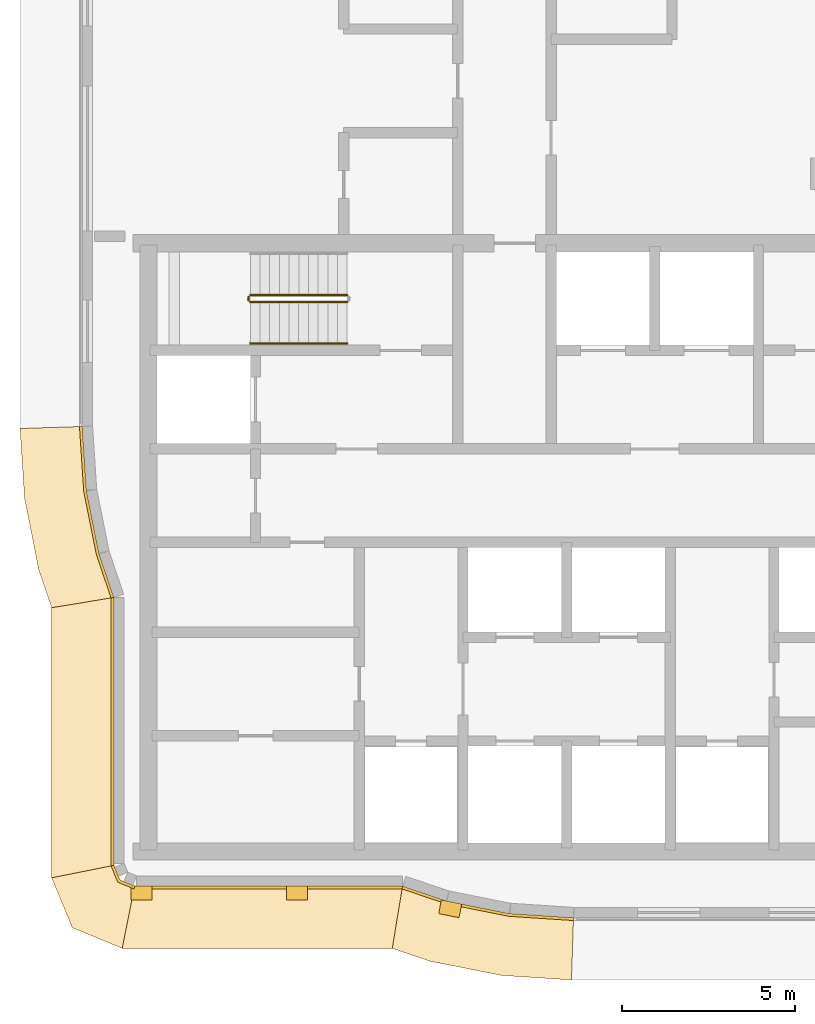
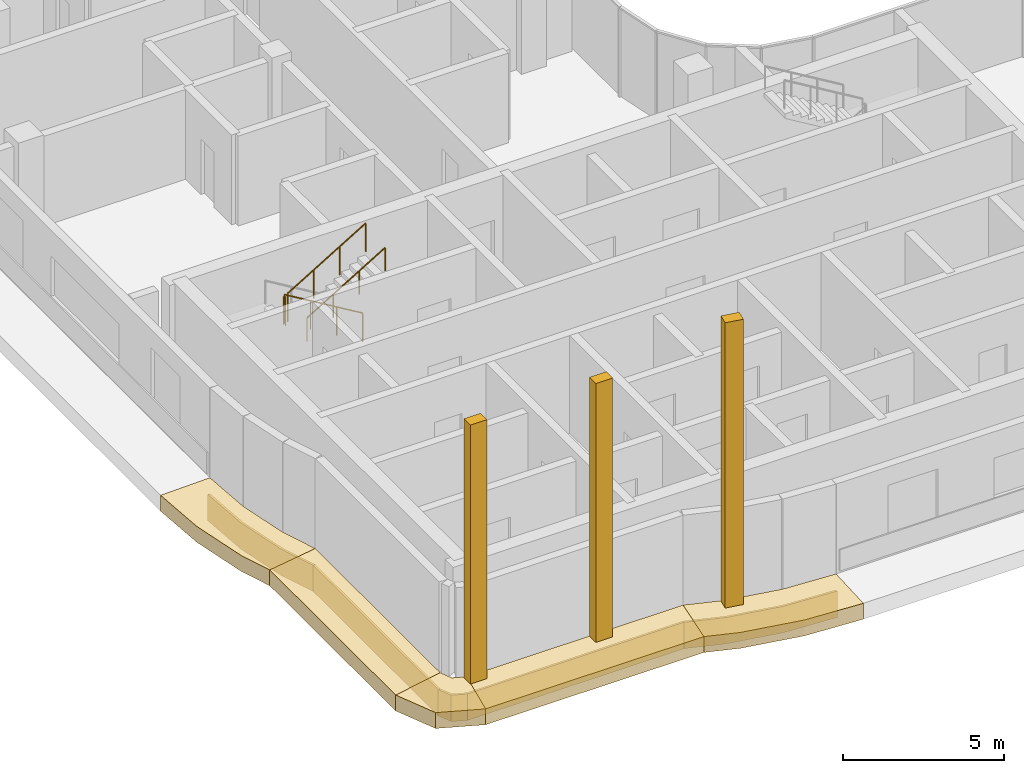
# One storey, part 15 of 20: 13 coverings, 4 railings.
"""IFC4 building model written with IfcOpenShell, lengths in metres."""

import ifcopenshell
import ifcopenshell.guid

model = None  # the IFC model being written
_history = None  # IfcOwnerHistory: only IFC2X3 demands one
_inside = {}  # id of a spatial element -> (the spatial element, [elements in it])
_under = {}  # id of a project, library or spatial element -> (it, [spatial elements below it])
_declared = {}  # id of a project -> (the project, [libraries it declares])
_typed = {}  # id of a type object -> (the type object, [elements of that type])
_made_of = {}  # id of a material, layer set ... -> (it, [elements and type objects made of it])


def new_model(schema):
    """Start an empty IFC model of exactly this schema.

    Asked for "IFC4X3", IfcOpenShell would pick the latest addendum, in which some entities
    have other attributes; the version numbers below select the first issue.
    IFC2X3 requires an IfcOwnerHistory on every rooted entity: one is made here for all.
    """
    global model, _history
    if schema == "IFC4X3":
        model = ifcopenshell.file(schema_version=(4, 3, 0, 0))
    else:
        model = ifcopenshell.file(schema=schema)
    _inside.clear()
    _under.clear()
    _declared.clear()
    _typed.clear()
    _made_of.clear()
    _history = None
    if model.schema == "IFC2X3":
        org = make("IfcOrganization", Name="unknown")
        user = make(
            "IfcPersonAndOrganization",
            ThePerson=make("IfcPerson", FamilyName="unknown"),
            TheOrganization=org,
        )
        app = make(
            "IfcApplication",
            ApplicationDeveloper=org,
            Version="unknown",
            ApplicationFullName="unknown",
            ApplicationIdentifier="unknown",
        )
        _history = make(
            "IfcOwnerHistory",
            OwningUser=user,
            OwningApplication=app,
            ChangeAction="ADDED",
            CreationDate=0,
        )
    return model


def make(cls, **values):
    """One entity of the class cls with the attributes given. An attribute that is None is left unset."""
    return model.create_entity(
        cls, **{name: value for name, value in values.items() if value is not None}
    )


def rooted(cls, **values):
    """An entity with a GlobalId (a new one), such as an element, a storey or a relation."""
    return make(cls, GlobalId=ifcopenshell.guid.new(), OwnerHistory=_history, **values)


def si_unit(unit_type, name, prefix=None):
    """IfcSIUnit, for example si_unit("LENGTHUNIT", "METRE", prefix="MILLI")."""
    return make("IfcSIUnit", UnitType=unit_type, Prefix=prefix, Name=name)


def assignment(units):
    """IfcUnitAssignment: the units of a project."""
    return None if units is None else make("IfcUnitAssignment", Units=units)


def point(xyz):
    """IfcCartesianPoint."""
    return None if xyz is None else make("IfcCartesianPoint", Coordinates=xyz)


def direction(xyz):
    """IfcDirection."""
    return None if xyz is None else make("IfcDirection", DirectionRatios=xyz)


def frame(location, z_axis=None, x_axis=None):
    """IfcAxis2Placement3D, a coordinate frame: its origin and axes. An axis left out is left unset."""
    return make(
        "IfcAxis2Placement3D",
        Location=point(location),
        Axis=direction(z_axis),
        RefDirection=direction(x_axis),
    )


def frame_2d(location, x_axis=None):
    """IfcAxis2Placement2D, a coordinate frame in the plane: its origin and x axis."""
    return make(
        "IfcAxis2Placement2D", Location=point(location), RefDirection=direction(x_axis)
    )


def origin():
    """The frame at (0, 0, 0) with its axes left unset."""
    return frame((0.0, 0.0, 0.0))


def origin_2d():
    """The frame at (0, 0) in the plane with its x axis left unset."""
    return frame_2d((0.0, 0.0))


def place(relative_to, where):
    """IfcLocalPlacement: puts the frame where relative to a parent placement (None: the world)."""
    return make(
        "IfcLocalPlacement", PlacementRelTo=relative_to, RelativePlacement=where
    )


def context(
    kind, dimensions, precision=None, world=None, true_north=None, identifier=None
):
    """IfcGeometricRepresentationContext, for example the 3D "Model" context."""
    return make(
        "IfcGeometricRepresentationContext",
        ContextIdentifier=identifier,
        ContextType=kind,
        CoordinateSpaceDimension=dimensions,
        Precision=precision,
        WorldCoordinateSystem=world,
        TrueNorth=true_north,
    )


def subcontext(parent, identifier, kind, view, scale=None):
    """IfcGeometricRepresentationSubContext, for example "Body" below "Model"."""
    return make(
        "IfcGeometricRepresentationSubContext",
        ContextIdentifier=identifier,
        ContextType=kind,
        ParentContext=parent,
        TargetScale=scale,
        TargetView=view,
    )


def project(units=None, contexts=None):
    """IfcProject with its units and contexts."""
    return rooted(
        "IfcProject",
        Name="project",
        RepresentationContexts=contexts,
        UnitsInContext=assignment(units),
    )


def spatial(cls, under=None, at=None, **own):
    """A site, building, storey or space (cls), placed at a placement, below another one or the project."""
    s = rooted(cls, ObjectPlacement=at, **own)
    if under is not None:
        _under.setdefault(under.id(), (under, []))[1].append(s)
    return s


def polyline(points):
    """IfcPolyline through the points."""
    return make("IfcPolyline", Points=[point(p) for p in points])


def profile(cls, at=None, kind="AREA", **sizes):
    """A parametric profile (cls). Its sizes go by their IFC names, for example OverallWidth=200.0."""
    return make(cls, ProfileType=kind, Position=at, **sizes)


def rectangle(**sizes):
    """IfcRectangleProfileDef."""
    return profile("IfcRectangleProfileDef", **sizes)


def circle(**sizes):
    """IfcCircleProfileDef."""
    return profile("IfcCircleProfileDef", **sizes)


def outline(outer, holes=None, kind="AREA"):
    """IfcArbitraryClosedProfileDef: a profile drawn as a closed curve; with holes, ...WithVoids."""
    if holes is None:
        return make("IfcArbitraryClosedProfileDef", ProfileType=kind, OuterCurve=outer)
    return make(
        "IfcArbitraryProfileDefWithVoids",
        ProfileType=kind,
        OuterCurve=outer,
        InnerCurves=holes,
    )


def extrude(swept, where, along, depth):
    """IfcExtrudedAreaSolid: the profile swept, set in the frame where, extruded along a direction by depth."""
    return make(
        "IfcExtrudedAreaSolid",
        SweptArea=swept,
        Position=where,
        ExtrudedDirection=direction(along),
        Depth=depth,
    )


def shape(context_of_items, identifier, shape_type, items):
    """IfcShapeRepresentation: the items that make up one representation, for example the "Body"."""
    return make(
        "IfcShapeRepresentation",
        ContextOfItems=context_of_items,
        RepresentationIdentifier=identifier,
        RepresentationType=shape_type,
        Items=items,
    )


def material(Name=None, Category=None):
    """IfcMaterial."""
    return make("IfcMaterial", Name=Name, Category=Category)


def layer(
    of_material, thickness, ventilated=None, Name=None, Category=None, Priority=None
):
    """IfcMaterialLayer: one layer of a wall or slab, of a material (None: an air gap)."""
    return make(
        "IfcMaterialLayer",
        Material=of_material,
        LayerThickness=thickness,
        IsVentilated=ventilated,
        Name=Name,
        Category=Category,
        Priority=Priority,
    )


def layer_set(layers, Name=None):
    """IfcMaterialLayerSet."""
    return make("IfcMaterialLayerSet", MaterialLayers=layers, LayerSetName=Name)


def made_of(thing, what):
    """Note that an element or type object is made of a material, layer set ...; save() writes the relation."""
    if what is not None:
        _made_of.setdefault(what.id(), (what, []))[1].append(thing)
    return thing


def type_object(cls, material=None, **own):
    """A type object (cls), such as IfcWallType, which elements share."""
    return made_of(rooted(cls, **own), material)


def element(
    cls,
    number,
    at=None,
    inside=None,
    cuts=None,
    type_object=None,
    material=None,
    context=None,
    identifier="Body",
    shape_type=None,
    held_by="IfcProductDefinitionShape",
    body=None,
    shapes=None,
    **own,
):
    """One element of the class cls, such as IfcWall. Its Tag is "e" and its number.

    at: its placement. inside: the storey or other place that contains it. cuts: it is an
    opening in that element (IfcRelVoidsElement). A single representation is given by context,
    identifier, shape_type and body (its items); several are given by shapes. held_by: the class
    of the entity that holds the representations. save() writes the other relations.
    """
    e = rooted(cls, Tag="e%d" % number, ObjectPlacement=at, **own)
    if body is not None:
        shapes = [shape(context, identifier, shape_type, body)]
    if shapes is not None:
        e.Representation = make(held_by, Representations=shapes)
    if inside is not None:
        _inside.setdefault(inside.id(), (inside, []))[1].append(e)
    if cuts is not None:
        rooted(
            "IfcRelVoidsElement", RelatingBuildingElement=cuts, RelatedOpeningElement=e
        )
    if type_object is not None:
        _typed.setdefault(type_object.id(), (type_object, []))[1].append(e)
    return made_of(e, material)


def aggregate(whole, parts):
    """IfcRelAggregates: a whole, such as a stair, and the parts it consists of."""
    return rooted("IfcRelAggregates", RelatingObject=whole, RelatedObjects=parts)


def save(model, path):
    """Write the relations noted so far, then the file.

    IfcRelAggregates (storeys below a building ...), IfcRelContainedInSpatialStructure (elements
    in a storey), IfcRelDefinesByType, IfcRelAssociatesMaterial and IfcRelDeclares: one each for
    every whole, place, type object, material and project.
    """
    for whole, parts in _under.values():
        aggregate(whole, parts)
    for where, things in _inside.values():
        rooted(
            "IfcRelContainedInSpatialStructure",
            RelatedElements=things,
            RelatingStructure=where,
        )
    for kind, things in _typed.values():
        rooted("IfcRelDefinesByType", RelatedObjects=things, RelatingType=kind)
    for what, things in _made_of.values():
        rooted("IfcRelAssociatesMaterial", RelatedObjects=things, RelatingMaterial=what)
    for by, libraries in _declared.values():
        rooted("IfcRelDeclares", RelatingContext=by, RelatedDefinitions=libraries)
    model.write(path)


model = new_model("IFC4")

# Units and contexts
model_context = context("Model", 3, precision=1e-05, world=origin(), true_north=direction((0.0, 1.0)))
body_context = subcontext(model_context, "Body", "Model", "MODEL_VIEW")
ifc_project = project(units=[si_unit("LENGTHUNIT", "METRE"), si_unit("AREAUNIT", "SQUARE_METRE"), si_unit("VOLUMEUNIT", "CUBIC_METRE"), si_unit("PLANEANGLEUNIT", "RADIAN"), si_unit("MASSUNIT", "GRAM", prefix="KILO")], contexts=[model_context])

# Site, building, storey
site_placement = place(None, origin())
site = spatial("IfcSite", under=ifc_project, at=site_placement, CompositionType="ELEMENT")
building_placement = place(site_placement, origin())
building = spatial("IfcBuilding", under=site, at=building_placement, Name="Ogive Portal Towers", CompositionType="ELEMENT")
storey_placement = place(building_placement, frame((0.0, 0.0, 195.800048828125)))
storey = spatial("IfcBuildingStorey", under=building, at=storey_placement, Name="L48", CompositionType="ELEMENT", Elevation=195.800048828125)

# Railings
ifc_material_1 = material(Name="Stainless steel balustrade", Category="steel")
railing_type_1 = type_object("IfcRailingType", Name="INT-GUARD", PredefinedType="GUARDRAIL", material=ifc_material_1)
railing_1_placement = place(storey_placement, frame((37.449951171875, 37.800048828125, 0.168212890625)))
element("IfcRailing", 1, at=railing_1_placement, inside=storey, type_object=railing_type_1, Name="L48 ST-A1 stair guard 1", PredefinedType="GUARDRAIL", context=body_context, shape_type="SweptSolid", body=[
    extrude(circle(Radius=0.02392578125, at=origin_2d()), frame((0.0, 0.0, 1.076171875), z_axis=(-0.857275202839, 0.0, 0.514858452973), x_axis=(0.0, -1.0, 0.0)), (0.0, 0.0, 1.0), 3.26611328125),
    extrude(circle(Radius=0.02099609375, at=origin_2d()), origin(), (0.0, 0.0, 1.0), 1.052001953125),
    extrude(circle(Radius=0.02099609375, at=origin_2d()), frame((-0.933349609375, 0.0, 0.560546875)), (0.0, 0.0, 1.0), 1.052001953125),
    extrude(circle(Radius=0.02099609375, at=origin_2d()), frame((-1.86669921875, 0.0, 1.12109375)), (0.0, 0.0, 1.0), 1.052001953125),
    extrude(circle(Radius=0.02099609375, at=origin_2d()), frame((-2.800048828125, 0.0, 1.681640625)), (0.0, 0.0, 1.0), 1.052001953125),
])
railing_2_placement = place(storey_placement, frame((34.60009765625, 37.75, 1.849853515625)))
element("IfcRailing", 2, at=railing_2_placement, inside=storey, type_object=railing_type_1, Name="L48 ST-A1 stair guard 2", PredefinedType="GUARDRAIL", context=body_context, shape_type="SweptSolid", body=[
    extrude(circle(Radius=0.02392578125, at=origin_2d()), frame((0.0, 0.0, 1.076171875), z_axis=(0.0, -1.0, 0.0), x_axis=(1.0, 0.0, 0.0)), (0.0, 0.0, 1.0), 0.10009765625),
    extrude(circle(Radius=0.02099609375, at=origin_2d()), origin(), (0.0, 0.0, 1.0), 1.052001953125),
    extrude(circle(Radius=0.02099609375, at=origin_2d()), frame((0.0, -0.10009765625, 0.0)), (0.0, 0.0, 1.0), 1.052001953125),
])
railing_3_placement = place(storey_placement, frame((34.64990234375, 37.60009765625, 2.01806640625)))
element("IfcRailing", 3, at=railing_3_placement, inside=storey, type_object=railing_type_1, Name="L48 ST-A1 stair guard 3", PredefinedType="GUARDRAIL", context=body_context, shape_type="SweptSolid", body=[
    extrude(circle(Radius=0.02392578125, at=origin_2d()), frame((0.0, 0.0, 1.076171875), z_axis=(0.857242210791, 0.0, 0.514913383045), x_axis=(0.0, 1.0, 0.0)), (0.0, 0.0, 1.0), 3.266357421875),
    extrude(circle(Radius=0.02099609375, at=origin_2d()), origin(), (0.0, 0.0, 1.0), 1.052001953125),
    extrude(circle(Radius=0.02099609375, at=origin_2d()), frame((0.933349609375, 0.0, 0.560546875)), (0.0, 0.0, 1.0), 1.052001953125),
    extrude(circle(Radius=0.02099609375, at=origin_2d()), frame((1.86669921875, 0.0, 1.121337890625)), (0.0, 0.0, 1.0), 1.052001953125),
    extrude(circle(Radius=0.02099609375, at=origin_2d()), frame((2.800048828125, 0.0, 1.681884765625)), (0.0, 0.0, 1.0), 1.052001953125),
])
ifc_material_2 = material(Name="Stainless steel handrail", Category="steel")
railing_type_2 = type_object("IfcRailingType", Name="INT-HANDRAIL", PredefinedType="HANDRAIL", material=ifc_material_2)
railing_4_placement = place(storey_placement, frame((34.64990234375, 36.39990234375, 2.01806640625)))
element("IfcRailing", 4, at=railing_4_placement, inside=storey, type_object=railing_type_2, Name="L48 ST-A1 stair handrail 2", PredefinedType="HANDRAIL", context=body_context, shape_type="SweptSolid", body=[
    extrude(circle(Radius=0.02392578125, at=origin_2d()), frame((0.0, 0.0, 0.8759765625), z_axis=(0.857242210791, 0.0, 0.514913383045), x_axis=(0.0, 1.0, 0.0)), (0.0, 0.0, 1.0), 3.266357421875),
    extrude(circle(Radius=0.02099609375, at=origin_2d()), origin(), (0.0, 0.0, 1.0), 0.851806640625),
    extrude(circle(Radius=0.02099609375, at=origin_2d()), frame((0.933349609375, 0.0, 0.560546875)), (0.0, 0.0, 1.0), 0.851806640625),
    extrude(circle(Radius=0.02099609375, at=origin_2d()), frame((1.86669921875, 0.0, 1.121337890625)), (0.0, 0.0, 1.0), 0.851806640625),
    extrude(circle(Radius=0.02099609375, at=origin_2d()), frame((2.800048828125, 0.0, 1.681884765625)), (0.0, 0.0, 1.0), 0.851806640625),
])

# Coverings
ifc_material_3 = material(Name="Limestone cladding on lightweight block wall", Category="masonry")
ifc_layer_1 = layer(ifc_material_3, 0.39990234375)
ifc_layer_set_1 = layer_set([ifc_layer_1], Name="SPINE PIER STONE")
covering_type_1 = type_object("IfcCoveringType", Name="SPINE PIER STONE", PredefinedType="CLADDING", material=ifc_layer_set_1)
for number, where, z_axis, x_axis, name in (
    (5, (31.5, 20.5, 0.0), (0.0, 0.0, 1.0), (1.0, 0.0, 0.0), "SPINE PIER"),
    (6, (36.0, 20.5, 0.0), (0.0, 0.0, 1.0), (1.0, 0.0, 0.0), "SPINE PIER"),
):
    element("IfcCovering", number, at=place(storey_placement, frame(where, z_axis=z_axis, x_axis=x_axis)), inside=storey, type_object=covering_type_1, Name=name, PredefinedType="CLADDING", context=body_context, shape_type="SweptSolid", body=[
        extrude(rectangle(XDim=0.60009765625, YDim=0.39990234375, at=origin_2d()), origin(), (0.0, 0.0, 1.0), 9.800048828125),
    ])
covering_1_placement = place(storey_placement, frame((40.431640625, 20.04345703125, 0.0), z_axis=(0.0, 0.0, 1.0), x_axis=(0.980785280403, -0.195090322016, 0.0)))
element("IfcCovering", 7, at=covering_1_placement, inside=storey, type_object=covering_type_1, Name="SPINE PIER", PredefinedType="CLADDING", context=body_context, shape_type="SweptSolid", body=[
    extrude(rectangle(XDim=0.60009765625, YDim=0.39990234375, at=origin_2d()), origin(), (0.0, 0.0, 1.0), 10.800048828125),
])
ifc_layer_2 = layer(ifc_material_3, 0.080078125)
ifc_layer_set_2 = layer_set([ifc_layer_2], Name="STONE SPANDREL 80")
covering_type_2 = type_object("IfcCoveringType", Name="STONE SPANDREL 80", PredefinedType="CLADDING", material=ifc_layer_set_2)
covering_2_placement = place(storey_placement, frame((0.0, 0.0, -1.60009765625)))
element("IfcCovering", 8, at=covering_2_placement, inside=storey, type_object=covering_type_2, Name="Stone spandrel A1-F01", PredefinedType="CLADDING", context=body_context, shape_type="SweptSolid", body=[
    extrude(outline(polyline([(30.699951171875, 29.05224609375), (30.699951171875, 21.300048828125), (30.6201171875, 21.2841796875), (30.6201171875, 29.0390625), (30.699951171875, 29.05224609375)])), origin(), (0.0, 0.0, 1.0), 1.0),
])
covering_3_placement = place(storey_placement, frame((0.0, 0.0, -1.60009765625)))
element("IfcCovering", 9, at=covering_3_placement, inside=storey, type_object=covering_type_2, Name="Stone spandrel A1-F02", PredefinedType="CLADDING", context=body_context, shape_type="SweptSolid", body=[
    extrude(outline(polyline([(30.699951171875, 21.300048828125), (30.875732421875, 20.875732421875), (31.300048828125, 20.699951171875), (31.2841796875, 20.6201171875), (30.814453125, 20.814453125), (30.6201171875, 21.2841796875), (30.699951171875, 21.300048828125)])), origin(), (0.0, 0.0, 1.0), 1.0),
])
covering_4_placement = place(storey_placement, frame((0.0, 0.0, -1.60009765625)))
element("IfcCovering", 10, at=covering_4_placement, inside=storey, type_object=covering_type_2, Name="Stone spandrel A1-F03", PredefinedType="CLADDING", context=body_context, shape_type="SweptSolid", body=[
    extrude(outline(polyline([(31.300048828125, 20.699951171875), (39.05224609375, 20.699951171875), (39.0390625, 20.6201171875), (31.2841796875, 20.6201171875), (31.300048828125, 20.699951171875)])), origin(), (0.0, 0.0, 1.0), 1.0),
])
covering_5_placement = place(storey_placement, frame((0.0, 0.0, -1.60009765625)))
element("IfcCovering", 11, at=covering_5_placement, inside=storey, type_object=covering_type_2, Name="Stone spandrel A1-F04", PredefinedType="CLADDING", context=body_context, shape_type="SweptSolid", body=[
    extrude(outline(polyline([(39.05224609375, 20.699951171875), (40.32080078125, 20.269287109375), (42.14453125, 19.906494140625), (44.0, 19.784912109375), (43.997314453125, 19.705078125), (42.134033203125, 19.8271484375), (40.300048828125, 20.19189453125), (39.0390625, 20.6201171875), (39.05224609375, 20.699951171875)])), origin(), (0.0, 0.0, 1.0), 1.0),
])
covering_6_placement = place(storey_placement, frame((0.0, 0.0, -1.60009765625)))
element("IfcCovering", 12, at=covering_6_placement, inside=storey, type_object=covering_type_2, Name="Stone spandrel A1-F14", PredefinedType="CLADDING", context=body_context, shape_type="SweptSolid", body=[
    extrude(outline(polyline([(29.784912109375, 34.0), (29.906494140625, 32.14453125), (30.269287109375, 30.32080078125), (30.699951171875, 29.05224609375), (30.6201171875, 29.0390625), (30.19189453125, 30.300048828125), (29.8271484375, 32.134033203125), (29.705078125, 33.997314453125), (29.784912109375, 34.0)])), origin(), (0.0, 0.0, 1.0), 1.0),
])
ifc_layer_3 = layer(ifc_material_3, 0.60009765625)
ifc_layer_set_3 = layer_set([ifc_layer_3], Name="SUNSHADE LIP 600")
covering_type_3 = type_object("IfcCoveringType", Name="SUNSHADE LIP 600", PredefinedType="CLADDING", material=ifc_layer_set_3)
covering_7_placement = place(storey_placement, frame((0.0, 0.0, -0.60009765625)))
element("IfcCovering", 13, at=covering_7_placement, inside=storey, type_object=covering_type_3, Name="Sunshade lip A1-F01", PredefinedType="CLADDING", context=body_context, shape_type="SweptSolid", body=[
    extrude(outline(polyline([(30.699951171875, 29.05224609375), (30.699951171875, 21.300048828125), (28.89990234375, 20.94189453125), (28.89990234375, 28.755126953125), (30.699951171875, 29.05224609375)])), origin(), (0.0, 0.0, 1.0), 0.60009765625),
])
covering_8_placement = place(storey_placement, frame((0.0, 0.0, -0.60009765625)))
element("IfcCovering", 14, at=covering_8_placement, inside=storey, type_object=covering_type_3, Name="Sunshade lip A1-F02", PredefinedType="CLADDING", context=body_context, shape_type="SweptSolid", body=[
    extrude(outline(polyline([(30.699951171875, 21.300048828125), (30.875732421875, 20.875732421875), (31.300048828125, 20.699951171875), (30.94189453125, 18.89990234375), (29.498046875, 19.498046875), (28.89990234375, 20.94189453125), (30.699951171875, 21.300048828125)])), origin(), (0.0, 0.0, 1.0), 0.60009765625),
])
covering_9_placement = place(storey_placement, frame((0.0, 0.0, -0.60009765625)))
element("IfcCovering", 15, at=covering_9_placement, inside=storey, type_object=covering_type_3, Name="Sunshade lip A1-F03", PredefinedType="CLADDING", context=body_context, shape_type="SweptSolid", body=[
    extrude(outline(polyline([(31.300048828125, 20.699951171875), (39.05224609375, 20.699951171875), (38.755126953125, 18.89990234375), (30.94189453125, 18.89990234375), (31.300048828125, 20.699951171875)])), origin(), (0.0, 0.0, 1.0), 0.60009765625),
])
covering_10_placement = place(storey_placement, frame((0.0, 0.0, -0.60009765625)))
element("IfcCovering", 16, at=covering_10_placement, inside=storey, type_object=covering_type_3, Name="Sunshade lip A1-F04", PredefinedType="CLADDING", context=body_context, shape_type="SweptSolid", body=[
    extrude(outline(polyline([(39.05224609375, 20.699951171875), (40.32080078125, 20.269287109375), (42.14453125, 19.906494140625), (44.0, 19.784912109375), (43.941162109375, 17.985107421875), (41.9091796875, 18.1181640625), (39.85400390625, 18.52685546875), (38.755126953125, 18.89990234375), (39.05224609375, 20.699951171875)])), origin(), (0.0, 0.0, 1.0), 0.60009765625),
])
covering_11_placement = place(storey_placement, frame((0.0, 0.0, -0.60009765625)))
element("IfcCovering", 17, at=covering_11_placement, inside=storey, type_object=covering_type_3, Name="Sunshade lip A1-F14", PredefinedType="CLADDING", context=body_context, shape_type="SweptSolid", body=[
    extrude(outline(polyline([(29.784912109375, 34.0), (29.906494140625, 32.14453125), (30.269287109375, 30.32080078125), (30.699951171875, 29.05224609375), (28.89990234375, 28.755126953125), (28.52685546875, 29.85400390625), (28.1181640625, 31.9091796875), (27.985107421875, 33.941162109375), (29.784912109375, 34.0)])), origin(), (0.0, 0.0, 1.0), 0.60009765625),
])

save(model, "model.ifc")
